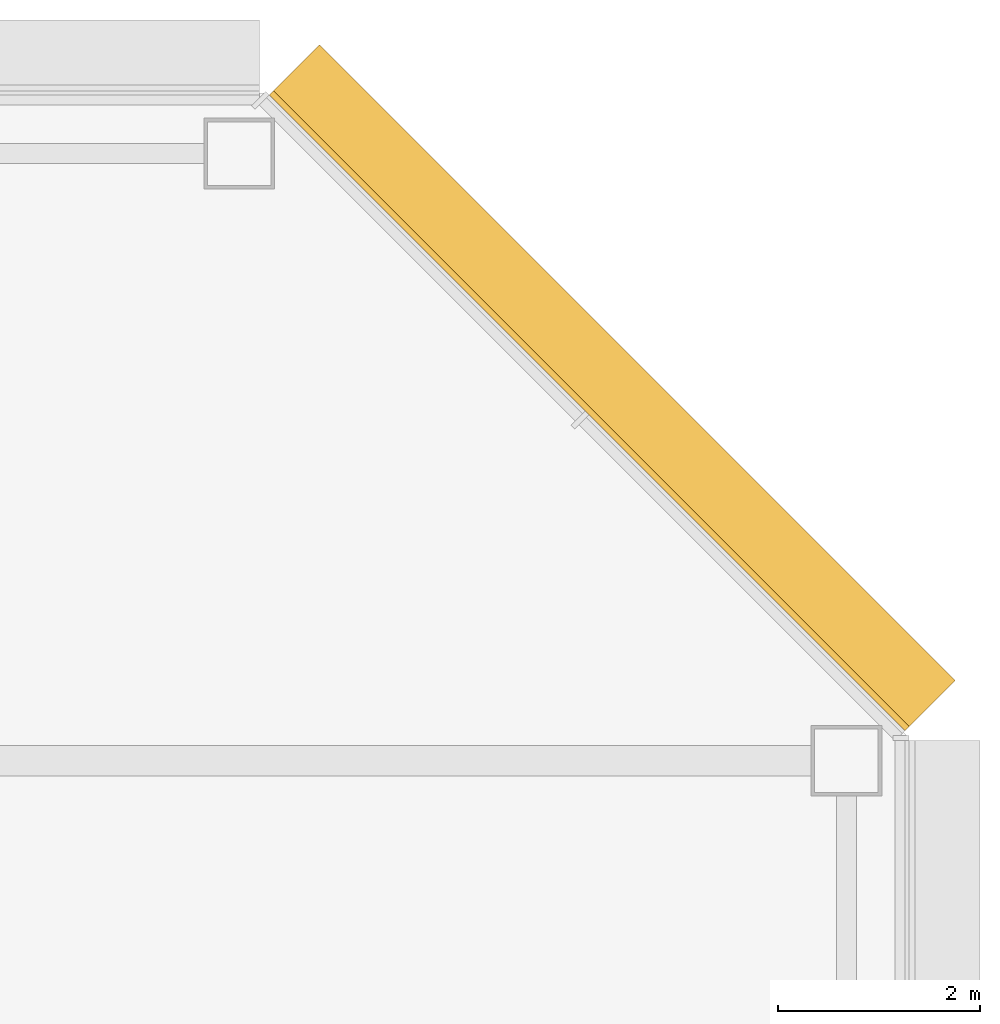
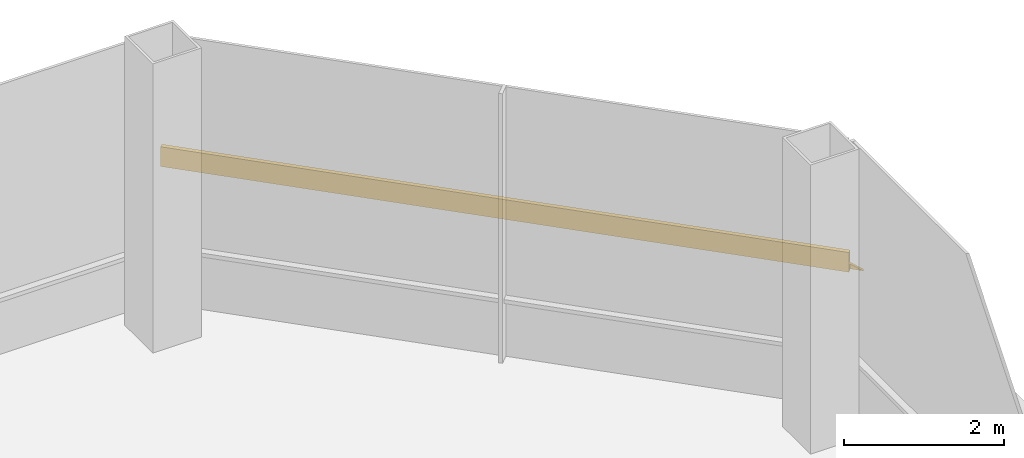
# One storey, part 25 of 26: 1 shading device.
"""IFC4 building model written with IfcOpenShell, lengths in metres."""

from ifc_helpers import new_model, si_unit, direction, frame, origin, place, context, subcontext, project, spatial, polyline, outline, extrude, material, type_object, element, save


model = new_model("IFC4")

# Units and contexts
model_context = context("Model", 3, precision=1e-05, world=origin(), true_north=direction((0.0, 1.0)))
body_context = subcontext(model_context, "Body", "Model", "MODEL_VIEW")
ifc_project = project(units=[si_unit("LENGTHUNIT", "METRE"), si_unit("AREAUNIT", "SQUARE_METRE"), si_unit("VOLUMEUNIT", "CUBIC_METRE"), si_unit("PLANEANGLEUNIT", "RADIAN"), si_unit("MASSUNIT", "GRAM", prefix="KILO")], contexts=[model_context])

# Site, building, storey
site_placement = place(None, origin())
site = spatial("IfcSite", under=ifc_project, at=site_placement, CompositionType="ELEMENT")
building_placement = place(site_placement, origin())
building = spatial("IfcBuilding", under=site, at=building_placement, Name="Sorahane Residences", CompositionType="ELEMENT")
storey_placement = place(building_placement, frame((0.0, 0.0, 181.60009765625)))
storey = spatial("IfcBuildingStorey", under=building, at=storey_placement, Name="L42", CompositionType="ELEMENT", Elevation=181.60009765625)

# Shading device
ifc_material = material(Name="Terracotta anodised aluminium", Category="masonry")
shading_device_type = type_object("IfcShadingDeviceType", Name="Louvre sunshade blade NE terracotta aluminium 700", PredefinedType="JALOUSIE", material=ifc_material)
shading_device_placement = place(storey_placement, frame((60.564697265625, 42.283935546875, 2.199951171875), z_axis=(-0.707106781187, 0.707106781187, 0.0), x_axis=(-0.707106781187, -0.707106781187, 0.0)))
element("IfcShadingDevice", 1, at=shading_device_placement, inside=storey, type_object=shading_device_type, Name="Louvre sunshade blade bank NE L42 NE1", PredefinedType="JALOUSIE", context=body_context, shape_type="SweptSolid", body=[
    extrude(outline(polyline([(-0.719970703125, -0.572509765625), (-0.719970703125, -0.602294921875), (-0.080078125, -0.065185546875), (-0.080078125, -0.14990234375), (-0.02001953125, -0.14990234375), (-0.02001953125, -0.014892578125), (-0.02001953125, 0.014892578125), (-0.02001953125, 0.14990234375), (-0.080078125, 0.14990234375), (-0.080078125, -0.035400390625), (-0.719970703125, -0.572509765625)])), origin(), (0.0, 0.0, 1.0), 8.88232421875),
])

save(model, "model.ifc")
